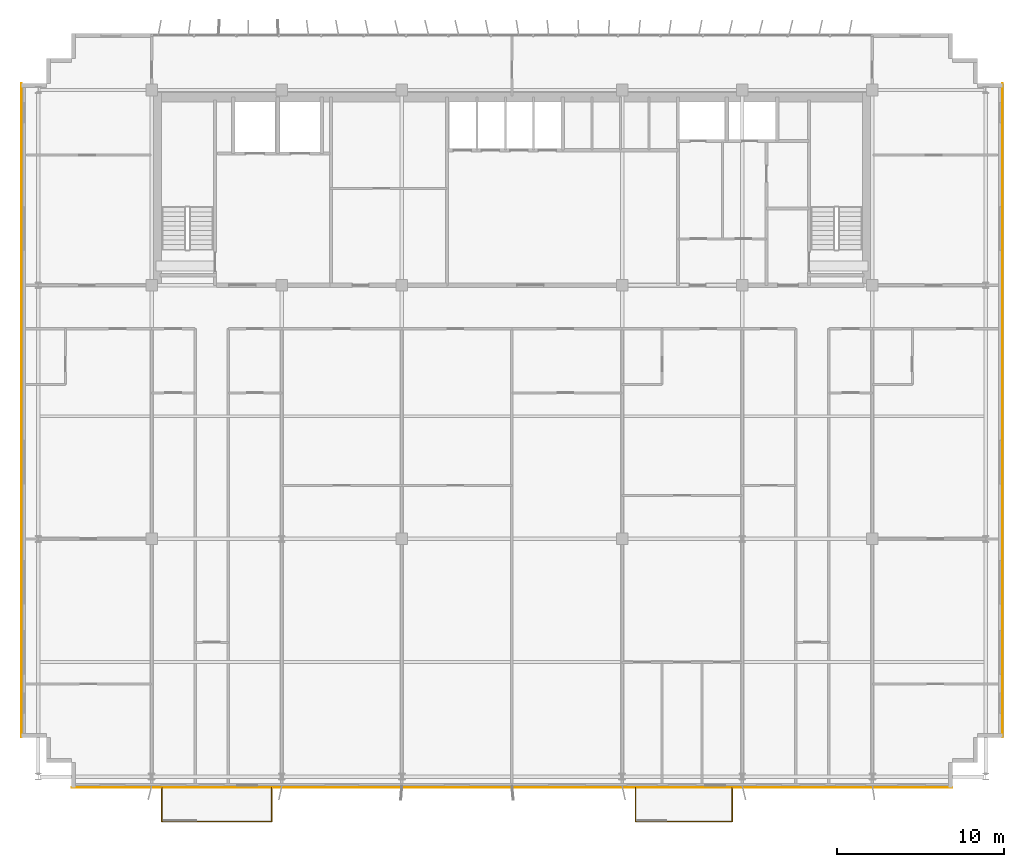
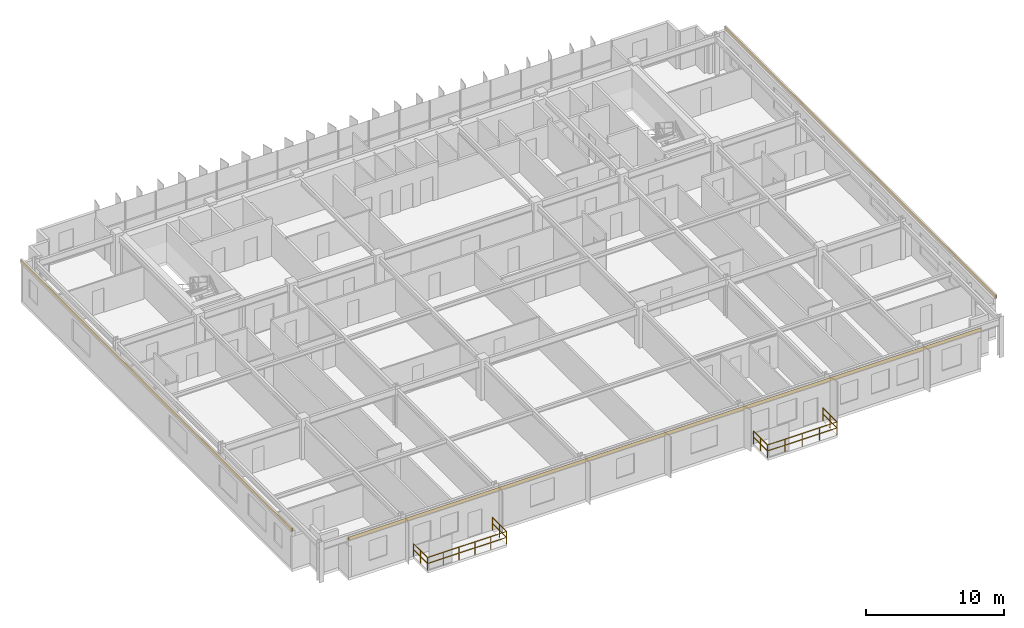
# One storey, part 19 of 20: 6 railings, 3 coverings.
"""IFC4 building model written with IfcOpenShell, lengths in metres."""

from ifc_helpers import new_model, si_unit, direction, frame, origin, origin_2d, place, context, subcontext, project, spatial, rectangle, extrude, source, transform, mapped, material, layer, layer_set, type_object, element, save


model = new_model("IFC4")

# Units and contexts
model_context = context("Model", 3, precision=1e-05, world=origin(), true_north=direction((0.0, 1.0)))
body_context = subcontext(model_context, "Body", "Model", "MODEL_VIEW")
ifc_project = project(units=[si_unit("LENGTHUNIT", "METRE"), si_unit("AREAUNIT", "SQUARE_METRE"), si_unit("VOLUMEUNIT", "CUBIC_METRE"), si_unit("PLANEANGLEUNIT", "RADIAN"), si_unit("MASSUNIT", "GRAM", prefix="KILO")], contexts=[model_context])

# Site, building, storey
site_placement = place(None, origin())
site = spatial("IfcSite", under=ifc_project, at=site_placement, CompositionType="ELEMENT")
building_placement = place(site_placement, origin())
building = spatial("IfcBuilding", under=site, at=building_placement, Name="Trelvane Seafront Commons", CompositionType="ELEMENT")
storey_placement = place(building_placement, frame((0.0, 0.0, 168.10009765625)))
storey = spatial("IfcBuildingStorey", under=building, at=storey_placement, Name="L44", CompositionType="ELEMENT", Elevation=168.10009765625)

# Railings
ifc_material_1 = material(Name="Stainless steel balustrade", Category="steel")
railing_type = type_object("IfcRailingType", Name="ARCH-RAIL-BAL1150", PredefinedType="BALUSTRADE", material=ifc_material_1)
railing_1_placement = place(storey_placement, frame((16.199951171875, 3.300048828125, 0.0)))
element("IfcRailing", 1, at=railing_1_placement, inside=storey, type_object=railing_type, Name="RL-L44-BAL0-01", PredefinedType="BALUSTRADE", context=body_context, shape_type="SweptSolid", body=[
    extrude(rectangle(XDim=0.048095703125, YDim=0.048095703125, at=origin_2d()), frame((0.0, 0.0, 1.1259765625), z_axis=(0.0, -1.0, 0.0), x_axis=(1.0, 0.0, 0.0)), (0.0, 0.0, 1.0), 2.0400390625),
    extrude(rectangle(XDim=0.048095703125, YDim=0.048095703125, at=origin_2d()), frame((0.0, 0.0, 0.597900390625), z_axis=(0.0, -1.0, 0.0), x_axis=(1.0, 0.0, 0.0)), (0.0, 0.0, 1.0), 2.0400390625),
    extrude(rectangle(XDim=0.0419921875, YDim=0.0419921875, at=origin_2d()), origin(), (0.0, 0.0, 1.0), 1.1259765625),
    extrude(rectangle(XDim=0.0419921875, YDim=0.0419921875, at=origin_2d()), frame((0.0, -1.02001953125, 0.0)), (0.0, 0.0, 1.0), 1.1259765625),
    extrude(rectangle(XDim=0.0419921875, YDim=0.0419921875, at=origin_2d()), frame((0.0, -2.0400390625, 0.0)), (0.0, 0.0, 1.0), 1.1259765625),
])
railing_2_placement = place(storey_placement, frame((16.199951171875, 1.260009765625, 0.0)))
element("IfcRailing", 2, at=railing_2_placement, inside=storey, type_object=railing_type, Name="RL-L44-BAL0-02", PredefinedType="BALUSTRADE", context=body_context, shape_type="SweptSolid", body=[
    extrude(rectangle(XDim=0.048095703125, YDim=0.048095703125, at=origin_2d()), frame((0.0, 0.0, 1.1259765625), z_axis=(1.0, 0.0, 0.0), x_axis=(0.0, 1.0, 0.0)), (0.0, 0.0, 1.0), 6.60009765625),
    extrude(rectangle(XDim=0.048095703125, YDim=0.048095703125, at=origin_2d()), frame((0.0, 0.0, 0.597900390625), z_axis=(1.0, 0.0, 0.0), x_axis=(0.0, 1.0, 0.0)), (0.0, 0.0, 1.0), 6.60009765625),
    extrude(rectangle(XDim=0.0419921875, YDim=0.0419921875, at=origin_2d()), origin(), (0.0, 0.0, 1.0), 1.1259765625),
    extrude(rectangle(XDim=0.0419921875, YDim=0.0419921875, at=origin_2d()), frame((1.320068359375, 0.0, 0.0)), (0.0, 0.0, 1.0), 1.1259765625),
    extrude(rectangle(XDim=0.0419921875, YDim=0.0419921875, at=origin_2d()), frame((2.64013671875, 0.0, 0.0)), (0.0, 0.0, 1.0), 1.1259765625),
    extrude(rectangle(XDim=0.0419921875, YDim=0.0419921875, at=origin_2d()), frame((3.9599609375, 0.0, 0.0)), (0.0, 0.0, 1.0), 1.1259765625),
    extrude(rectangle(XDim=0.0419921875, YDim=0.0419921875, at=origin_2d()), frame((5.280029296875, 0.0, 0.0)), (0.0, 0.0, 1.0), 1.1259765625),
    extrude(rectangle(XDim=0.0419921875, YDim=0.0419921875, at=origin_2d()), frame((6.60009765625, 0.0, 0.0)), (0.0, 0.0, 1.0), 1.1259765625),
])
railing_3_placement = place(storey_placement, frame((22.800048828125, 1.260009765625, 0.0)))
element("IfcRailing", 3, at=railing_3_placement, inside=storey, type_object=railing_type, Name="RL-L44-BAL0-03", PredefinedType="BALUSTRADE", context=body_context, shape_type="SweptSolid", body=[
    extrude(rectangle(XDim=0.048095703125, YDim=0.048095703125, at=origin_2d()), frame((0.0, 0.0, 1.1259765625), z_axis=(0.0, 1.0, 0.0), x_axis=(-1.0, 0.0, 0.0)), (0.0, 0.0, 1.0), 2.0400390625),
    extrude(rectangle(XDim=0.048095703125, YDim=0.048095703125, at=origin_2d()), frame((0.0, 0.0, 0.597900390625), z_axis=(0.0, 1.0, 0.0), x_axis=(-1.0, 0.0, 0.0)), (0.0, 0.0, 1.0), 2.0400390625),
    extrude(rectangle(XDim=0.0419921875, YDim=0.0419921875, at=origin_2d()), origin(), (0.0, 0.0, 1.0), 1.1259765625),
    extrude(rectangle(XDim=0.0419921875, YDim=0.0419921875, at=origin_2d()), frame((0.0, 1.02001953125, 0.0)), (0.0, 0.0, 1.0), 1.1259765625),
    extrude(rectangle(XDim=0.0419921875, YDim=0.0419921875, at=origin_2d()), frame((0.0, 2.0400390625, 0.0)), (0.0, 0.0, 1.0), 1.1259765625),
])
railing_4_placement = place(storey_placement, frame((44.60009765625, 3.300048828125, 0.0)))
element("IfcRailing", 4, at=railing_4_placement, inside=storey, type_object=railing_type, Name="RL-L44-BAL1-01", PredefinedType="BALUSTRADE", context=body_context, shape_type="SweptSolid", body=[
    extrude(rectangle(XDim=0.048095703125, YDim=0.048095703125, at=origin_2d()), frame((0.0, 0.0, 1.1259765625), z_axis=(0.0, -1.0, 0.0), x_axis=(1.0, 0.0, 0.0)), (0.0, 0.0, 1.0), 2.0400390625),
    extrude(rectangle(XDim=0.048095703125, YDim=0.048095703125, at=origin_2d()), frame((0.0, 0.0, 0.597900390625), z_axis=(0.0, -1.0, 0.0), x_axis=(1.0, 0.0, 0.0)), (0.0, 0.0, 1.0), 2.0400390625),
    extrude(rectangle(XDim=0.0419921875, YDim=0.0419921875, at=origin_2d()), origin(), (0.0, 0.0, 1.0), 1.1259765625),
    extrude(rectangle(XDim=0.0419921875, YDim=0.0419921875, at=origin_2d()), frame((0.0, -1.02001953125, 0.0)), (0.0, 0.0, 1.0), 1.1259765625),
    extrude(rectangle(XDim=0.0419921875, YDim=0.0419921875, at=origin_2d()), frame((0.0, -2.0400390625, 0.0)), (0.0, 0.0, 1.0), 1.1259765625),
])
railing_5_placement = place(storey_placement, frame((44.60009765625, 1.260009765625, 0.0)))
element("IfcRailing", 5, at=railing_5_placement, inside=storey, type_object=railing_type, Name="RL-L44-BAL1-02", PredefinedType="BALUSTRADE", context=body_context, shape_type="SweptSolid", body=[
    extrude(rectangle(XDim=0.048095703125, YDim=0.048095703125, at=origin_2d()), frame((0.0, 0.0, 1.1259765625), z_axis=(1.0, 0.0, 0.0), x_axis=(0.0, 1.0, 0.0)), (0.0, 0.0, 1.0), 5.7998046875),
    extrude(rectangle(XDim=0.048095703125, YDim=0.048095703125, at=origin_2d()), frame((0.0, 0.0, 0.597900390625), z_axis=(1.0, 0.0, 0.0), x_axis=(0.0, 1.0, 0.0)), (0.0, 0.0, 1.0), 5.7998046875),
    extrude(rectangle(XDim=0.0419921875, YDim=0.0419921875, at=origin_2d()), origin(), (0.0, 0.0, 1.0), 1.1259765625),
    extrude(rectangle(XDim=0.0419921875, YDim=0.0419921875, at=origin_2d()), frame((1.449951171875, 0.0, 0.0)), (0.0, 0.0, 1.0), 1.1259765625),
    extrude(rectangle(XDim=0.0419921875, YDim=0.0419921875, at=origin_2d()), frame((2.89990234375, 0.0, 0.0)), (0.0, 0.0, 1.0), 1.1259765625),
    extrude(rectangle(XDim=0.0419921875, YDim=0.0419921875, at=origin_2d()), frame((4.349853515625, 0.0, 0.0)), (0.0, 0.0, 1.0), 1.1259765625),
    extrude(rectangle(XDim=0.0419921875, YDim=0.0419921875, at=origin_2d()), frame((5.7998046875, 0.0, 0.0)), (0.0, 0.0, 1.0), 1.1259765625),
])
railing_6_placement = place(storey_placement, frame((50.39990234375, 1.260009765625, 0.0)))
element("IfcRailing", 6, at=railing_6_placement, inside=storey, type_object=railing_type, Name="RL-L44-BAL1-03", PredefinedType="BALUSTRADE", context=body_context, shape_type="SweptSolid", body=[
    extrude(rectangle(XDim=0.048095703125, YDim=0.048095703125, at=origin_2d()), frame((0.0, 0.0, 1.1259765625), z_axis=(0.0, 1.0, 0.0), x_axis=(-1.0, 0.0, 0.0)), (0.0, 0.0, 1.0), 2.0400390625),
    extrude(rectangle(XDim=0.048095703125, YDim=0.048095703125, at=origin_2d()), frame((0.0, 0.0, 0.597900390625), z_axis=(0.0, 1.0, 0.0), x_axis=(-1.0, 0.0, 0.0)), (0.0, 0.0, 1.0), 2.0400390625),
    extrude(rectangle(XDim=0.0419921875, YDim=0.0419921875, at=origin_2d()), origin(), (0.0, 0.0, 1.0), 1.1259765625),
    extrude(rectangle(XDim=0.0419921875, YDim=0.0419921875, at=origin_2d()), frame((0.0, 1.02001953125, 0.0)), (0.0, 0.0, 1.0), 1.1259765625),
    extrude(rectangle(XDim=0.0419921875, YDim=0.0419921875, at=origin_2d()), frame((0.0, 2.0400390625, 0.0)), (0.0, 0.0, 1.0), 1.1259765625),
])

# Coverings
ifc_material_2 = material(Name="Anodised pale-silver aluminium", Category="aluminium")
ifc_layer = layer(ifc_material_2, 0.034912109375, Name="ARCH-COV-CLAD35")
ifc_layer_set = layer_set([ifc_layer], Name="Anodised pale-silver aluminium")
covering_type = type_object("IfcCoveringType", Name="ARCH-COV-CLAD35", PredefinedType="CLADDING", material=ifc_layer_set)
shared_shape_1 = source(origin(), body_context, "Body", "SweptSolid", [
    extrude(rectangle(XDim=39.199951171875, YDim=0.034912109375, at=origin_2d()), origin(), (0.0, 0.0, 1.0), 0.2900390625),
])
for number, where, z_axis, x_axis, name in (
    (7, (7.800048828125, 25.89990234375, 3.309814453125), (0.0, 0.0, 1.0), (0.0, 1.0, 0.0), "CLD-L44-00173"),
    (8, (66.60009765625, 25.89990234375, 3.309814453125), (0.0, 0.0, 1.0), (0.0, -1.0, 0.0), "CLD-L44-00174"),
):
    element("IfcCovering", number, at=place(storey_placement, frame(where, z_axis=z_axis, x_axis=x_axis)), inside=storey, type_object=covering_type, Name=name, PredefinedType="CLADDING", context=body_context, shape_type="MappedRepresentation", body=[
        mapped(shared_shape_1, transform((0.0, 0.0, 0.0), x_axis=(1.0, 0.0, 0.0), y_axis=(0.0, 1.0, 0.0), z_axis=(0.0, 0.0, 1.0), scale=1.0)),
    ])
shared_shape_2 = source(origin(), body_context, "Body", "SweptSolid", [
    extrude(rectangle(XDim=52.800048828125, YDim=0.034912109375, at=origin_2d()), origin(), (0.0, 0.0, 1.0), 0.2900390625),
])
covering_placement = place(storey_placement, frame((37.199951171875, 3.300048828125, 3.309814453125), z_axis=(0.0, 0.0, 1.0), x_axis=(-1.0, 0.0, 0.0)))
element("IfcCovering", 9, at=covering_placement, inside=storey, type_object=covering_type, Name="CLD-L44-00175", PredefinedType="CLADDING", context=body_context, shape_type="MappedRepresentation", body=[
    mapped(shared_shape_2, transform((0.0, 0.0, 0.0), x_axis=(1.0, 0.0, 0.0), y_axis=(0.0, 1.0, 0.0), z_axis=(0.0, 0.0, 1.0), scale=1.0)),
])

save(model, "model.ifc")
